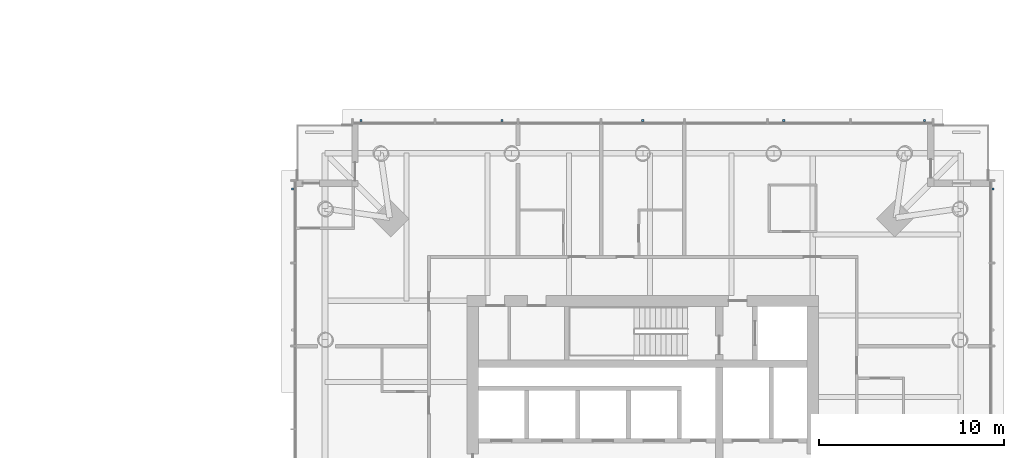
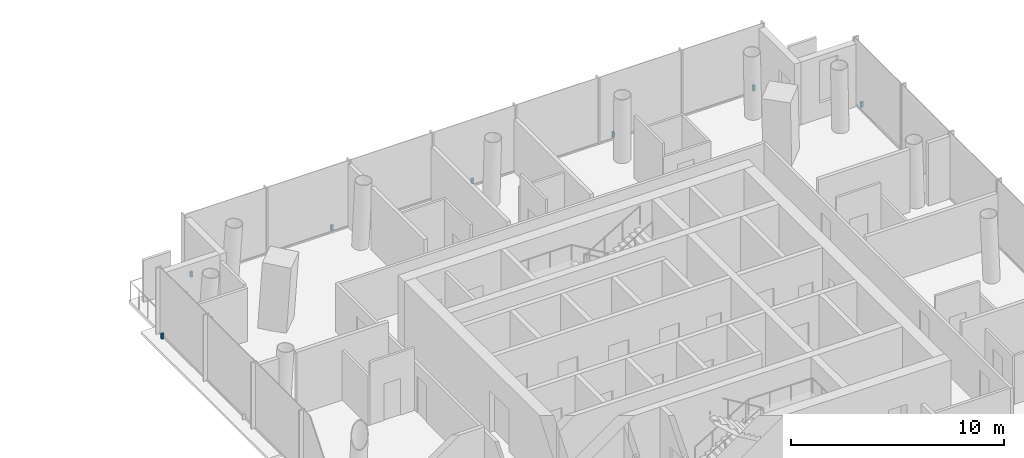
# One storey, part 20 of 22: 7 discrete accessories.
"""IFC4 building model written with IfcOpenShell, lengths in metres."""

import ifcopenshell
import ifcopenshell.guid

model = None  # the IFC model being written
_history = None  # IfcOwnerHistory: only IFC2X3 demands one
_inside = {}  # id of a spatial element -> (the spatial element, [elements in it])
_under = {}  # id of a project, library or spatial element -> (it, [spatial elements below it])
_declared = {}  # id of a project -> (the project, [libraries it declares])
_typed = {}  # id of a type object -> (the type object, [elements of that type])
_made_of = {}  # id of a material, layer set ... -> (it, [elements and type objects made of it])


def new_model(schema):
    """Start an empty IFC model of exactly this schema.

    Asked for "IFC4X3", IfcOpenShell would pick the latest addendum, in which some entities
    have other attributes; the version numbers below select the first issue.
    IFC2X3 requires an IfcOwnerHistory on every rooted entity: one is made here for all.
    """
    global model, _history
    if schema == "IFC4X3":
        model = ifcopenshell.file(schema_version=(4, 3, 0, 0))
    else:
        model = ifcopenshell.file(schema=schema)
    _inside.clear()
    _under.clear()
    _declared.clear()
    _typed.clear()
    _made_of.clear()
    _history = None
    if model.schema == "IFC2X3":
        org = make("IfcOrganization", Name="unknown")
        user = make(
            "IfcPersonAndOrganization",
            ThePerson=make("IfcPerson", FamilyName="unknown"),
            TheOrganization=org,
        )
        app = make(
            "IfcApplication",
            ApplicationDeveloper=org,
            Version="unknown",
            ApplicationFullName="unknown",
            ApplicationIdentifier="unknown",
        )
        _history = make(
            "IfcOwnerHistory",
            OwningUser=user,
            OwningApplication=app,
            ChangeAction="ADDED",
            CreationDate=0,
        )
    return model


def make(cls, **values):
    """One entity of the class cls with the attributes given. An attribute that is None is left unset."""
    return model.create_entity(
        cls, **{name: value for name, value in values.items() if value is not None}
    )


def rooted(cls, **values):
    """An entity with a GlobalId (a new one), such as an element, a storey or a relation."""
    return make(cls, GlobalId=ifcopenshell.guid.new(), OwnerHistory=_history, **values)


def si_unit(unit_type, name, prefix=None):
    """IfcSIUnit, for example si_unit("LENGTHUNIT", "METRE", prefix="MILLI")."""
    return make("IfcSIUnit", UnitType=unit_type, Prefix=prefix, Name=name)


def assignment(units):
    """IfcUnitAssignment: the units of a project."""
    return None if units is None else make("IfcUnitAssignment", Units=units)


def point(xyz):
    """IfcCartesianPoint."""
    return None if xyz is None else make("IfcCartesianPoint", Coordinates=xyz)


def direction(xyz):
    """IfcDirection."""
    return None if xyz is None else make("IfcDirection", DirectionRatios=xyz)


def frame(location, z_axis=None, x_axis=None):
    """IfcAxis2Placement3D, a coordinate frame: its origin and axes. An axis left out is left unset."""
    return make(
        "IfcAxis2Placement3D",
        Location=point(location),
        Axis=direction(z_axis),
        RefDirection=direction(x_axis),
    )


def frame_2d(location, x_axis=None):
    """IfcAxis2Placement2D, a coordinate frame in the plane: its origin and x axis."""
    return make(
        "IfcAxis2Placement2D", Location=point(location), RefDirection=direction(x_axis)
    )


def origin():
    """The frame at (0, 0, 0) with its axes left unset."""
    return frame((0.0, 0.0, 0.0))


def origin_2d():
    """The frame at (0, 0) in the plane with its x axis left unset."""
    return frame_2d((0.0, 0.0))


def place(relative_to, where):
    """IfcLocalPlacement: puts the frame where relative to a parent placement (None: the world)."""
    return make(
        "IfcLocalPlacement", PlacementRelTo=relative_to, RelativePlacement=where
    )


def context(
    kind, dimensions, precision=None, world=None, true_north=None, identifier=None
):
    """IfcGeometricRepresentationContext, for example the 3D "Model" context."""
    return make(
        "IfcGeometricRepresentationContext",
        ContextIdentifier=identifier,
        ContextType=kind,
        CoordinateSpaceDimension=dimensions,
        Precision=precision,
        WorldCoordinateSystem=world,
        TrueNorth=true_north,
    )


def subcontext(parent, identifier, kind, view, scale=None):
    """IfcGeometricRepresentationSubContext, for example "Body" below "Model"."""
    return make(
        "IfcGeometricRepresentationSubContext",
        ContextIdentifier=identifier,
        ContextType=kind,
        ParentContext=parent,
        TargetScale=scale,
        TargetView=view,
    )


def project(units=None, contexts=None):
    """IfcProject with its units and contexts."""
    return rooted(
        "IfcProject",
        Name="project",
        RepresentationContexts=contexts,
        UnitsInContext=assignment(units),
    )


def spatial(cls, under=None, at=None, **own):
    """A site, building, storey or space (cls), placed at a placement, below another one or the project."""
    s = rooted(cls, ObjectPlacement=at, **own)
    if under is not None:
        _under.setdefault(under.id(), (under, []))[1].append(s)
    return s


def profile(cls, at=None, kind="AREA", **sizes):
    """A parametric profile (cls). Its sizes go by their IFC names, for example OverallWidth=200.0."""
    return make(cls, ProfileType=kind, Position=at, **sizes)


def rectangle(**sizes):
    """IfcRectangleProfileDef."""
    return profile("IfcRectangleProfileDef", **sizes)


def extrude(swept, where, along, depth):
    """IfcExtrudedAreaSolid: the profile swept, set in the frame where, extruded along a direction by depth."""
    return make(
        "IfcExtrudedAreaSolid",
        SweptArea=swept,
        Position=where,
        ExtrudedDirection=direction(along),
        Depth=depth,
    )


def shape(context_of_items, identifier, shape_type, items):
    """IfcShapeRepresentation: the items that make up one representation, for example the "Body"."""
    return make(
        "IfcShapeRepresentation",
        ContextOfItems=context_of_items,
        RepresentationIdentifier=identifier,
        RepresentationType=shape_type,
        Items=items,
    )


def material(Name=None, Category=None):
    """IfcMaterial."""
    return make("IfcMaterial", Name=Name, Category=Category)


def made_of(thing, what):
    """Note that an element or type object is made of a material, layer set ...; save() writes the relation."""
    if what is not None:
        _made_of.setdefault(what.id(), (what, []))[1].append(thing)
    return thing


def type_object(cls, material=None, **own):
    """A type object (cls), such as IfcWallType, which elements share."""
    return made_of(rooted(cls, **own), material)


def element(
    cls,
    number,
    at=None,
    inside=None,
    cuts=None,
    type_object=None,
    material=None,
    context=None,
    identifier="Body",
    shape_type=None,
    held_by="IfcProductDefinitionShape",
    body=None,
    shapes=None,
    **own,
):
    """One element of the class cls, such as IfcWall. Its Tag is "e" and its number.

    at: its placement. inside: the storey or other place that contains it. cuts: it is an
    opening in that element (IfcRelVoidsElement). A single representation is given by context,
    identifier, shape_type and body (its items); several are given by shapes. held_by: the class
    of the entity that holds the representations. save() writes the other relations.
    """
    e = rooted(cls, Tag="e%d" % number, ObjectPlacement=at, **own)
    if body is not None:
        shapes = [shape(context, identifier, shape_type, body)]
    if shapes is not None:
        e.Representation = make(held_by, Representations=shapes)
    if inside is not None:
        _inside.setdefault(inside.id(), (inside, []))[1].append(e)
    if cuts is not None:
        rooted(
            "IfcRelVoidsElement", RelatingBuildingElement=cuts, RelatedOpeningElement=e
        )
    if type_object is not None:
        _typed.setdefault(type_object.id(), (type_object, []))[1].append(e)
    return made_of(e, material)


def aggregate(whole, parts):
    """IfcRelAggregates: a whole, such as a stair, and the parts it consists of."""
    return rooted("IfcRelAggregates", RelatingObject=whole, RelatedObjects=parts)


def save(model, path):
    """Write the relations noted so far, then the file.

    IfcRelAggregates (storeys below a building ...), IfcRelContainedInSpatialStructure (elements
    in a storey), IfcRelDefinesByType, IfcRelAssociatesMaterial and IfcRelDeclares: one each for
    every whole, place, type object, material and project.
    """
    for whole, parts in _under.values():
        aggregate(whole, parts)
    for where, things in _inside.values():
        rooted(
            "IfcRelContainedInSpatialStructure",
            RelatedElements=things,
            RelatingStructure=where,
        )
    for kind, things in _typed.values():
        rooted("IfcRelDefinesByType", RelatedObjects=things, RelatingType=kind)
    for what, things in _made_of.values():
        rooted("IfcRelAssociatesMaterial", RelatedObjects=things, RelatingMaterial=what)
    for by, libraries in _declared.values():
        rooted("IfcRelDeclares", RelatingContext=by, RelatedDefinitions=libraries)
    model.write(path)


model = new_model("IFC4")

# Units and contexts
model_context = context("Model", 3, precision=1e-05, world=origin(), true_north=direction((0.0, 1.0)))
body_context = subcontext(model_context, "Body", "Model", "MODEL_VIEW")
ifc_project = project(units=[si_unit("LENGTHUNIT", "METRE"), si_unit("AREAUNIT", "SQUARE_METRE"), si_unit("VOLUMEUNIT", "CUBIC_METRE"), si_unit("PLANEANGLEUNIT", "RADIAN"), si_unit("MASSUNIT", "GRAM", prefix="KILO")], contexts=[model_context])

# Site, building, storey
site_placement = place(None, origin())
site = spatial("IfcSite", under=ifc_project, at=site_placement, CompositionType="ELEMENT")
building_placement = place(site_placement, origin())
building = spatial("IfcBuilding", under=site, at=building_placement, Name="Ostroluk Exchange", CompositionType="ELEMENT")
storey_placement = place(building_placement, frame((0.0, 0.0, 62.800048828125)))
storey = spatial("IfcBuildingStorey", under=building, at=storey_placement, Name="L15", CompositionType="ELEMENT", Elevation=62.800048828125)

# Discrete accessories
ifc_material = material(Name="Stainless steel", Category="steel")
discrete_accessory_type = type_object("IfcDiscreteAccessoryType", Name="Fall-arrest anchor PN-EN 795 type C", PredefinedType="USERDEFINED", material=ifc_material)
for number, where, z_axis, x_axis, name in (
    (1, (135.9599609375, 61.25, 0.0), (0.0, 0.0, 1.0), (1.0, 0.0, 0.0), "Fall-arrest anchor L15 east 5"),
    (2, (101.75, 64.9599609375, 0.0), (0.0, 0.0, 1.0), (1.0, 0.0, 0.0), "Fall-arrest anchor L15 north 1"),
    (3, (109.375, 64.9599609375, 0.0), (0.0, 0.0, 1.0), (1.0, 0.0, 0.0), "Fall-arrest anchor L15 north 2"),
    (4, (117.0, 64.9599609375, 0.0), (0.0, 0.0, 1.0), (1.0, 0.0, 0.0), "Fall-arrest anchor L15 north 3"),
    (5, (124.625, 64.9599609375, 0.0), (0.0, 0.0, 1.0), (1.0, 0.0, 0.0), "Fall-arrest anchor L15 north 4"),
    (6, (132.25, 64.9599609375, 0.0), (0.0, 0.0, 1.0), (1.0, 0.0, 0.0), "Fall-arrest anchor L15 north 5"),
    (7, (98.0400390625, 61.25, 0.0), (0.0, 0.0, 1.0), (1.0, 0.0, 0.0), "Fall-arrest anchor L15 west 5"),
):
    element("IfcDiscreteAccessory", number, at=place(storey_placement, frame(where, z_axis=z_axis, x_axis=x_axis)), inside=storey, type_object=discrete_accessory_type, Name=name, ObjectType="FALL ARREST ANCHOR", PredefinedType="USERDEFINED", context=body_context, shape_type="SweptSolid", body=[
        extrude(rectangle(XDim=0.1201171875, YDim=0.1201171875, at=origin_2d()), origin(), (0.0, 0.0, 1.0), 0.300048828125),
    ])

save(model, "model.ifc")
